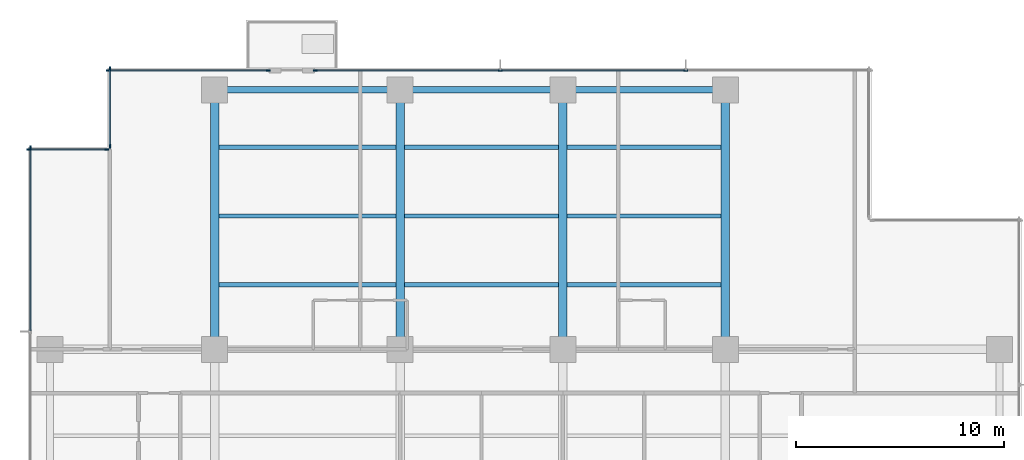
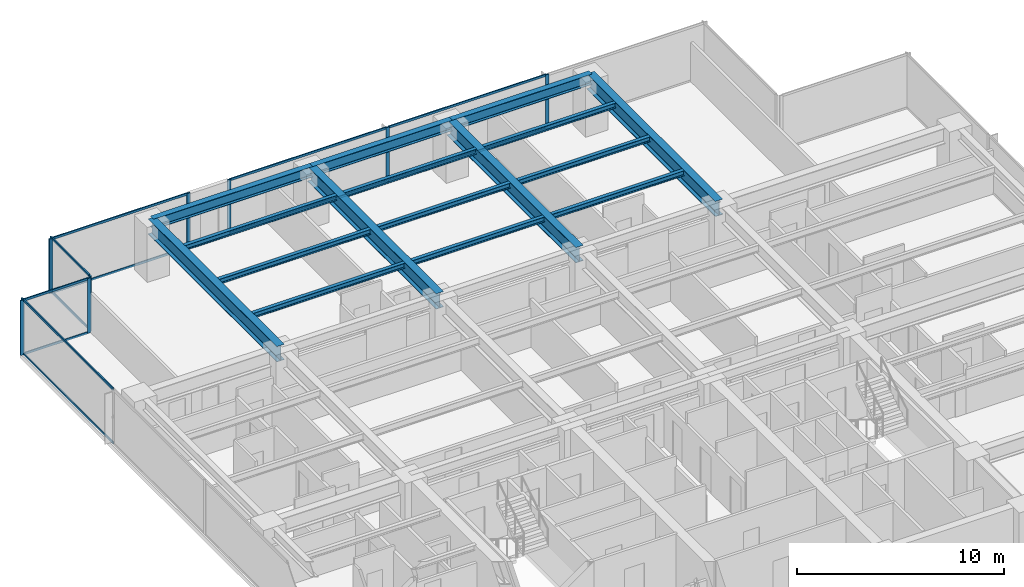
# One storey, part 5 of 17: 22 members, 16 beams, 5 elements without a shape of their own.
"""IFC4 building model written with IfcOpenShell, lengths in metres."""

from ifc_helpers import new_model, si_unit, direction, frame, origin, origin_2d, place, context, subcontext, project, spatial, rectangle, i_section, extrude, material, layer, layer_set, material_profile, profile_set, type_object, element, aggregate, save


model = new_model("IFC4")

# Units and contexts
model_context = context("Model", 3, precision=1e-05, world=origin(), true_north=direction((0.0, 1.0)))
body_context = subcontext(model_context, "Body", "Model", "MODEL_VIEW")
ifc_project = project(units=[si_unit("LENGTHUNIT", "METRE"), si_unit("AREAUNIT", "SQUARE_METRE"), si_unit("VOLUMEUNIT", "CUBIC_METRE"), si_unit("PLANEANGLEUNIT", "RADIAN"), si_unit("MASSUNIT", "GRAM", prefix="KILO")], contexts=[model_context])

# Site, building, storey
site_placement = place(None, origin())
site = spatial("IfcSite", under=ifc_project, at=site_placement, CompositionType="ELEMENT")
building_placement = place(site_placement, origin())
building = spatial("IfcBuilding", under=site, at=building_placement, Name="Qalmaran Belvedere Hotel", CompositionType="ELEMENT")
storey_placement = place(building_placement, frame((0.0, 0.0, 119.699951171875)))
storey = spatial("IfcBuildingStorey", under=building, at=storey_placement, Name="L30", CompositionType="ELEMENT", Elevation=119.699951171875)

# Beams
ifc_material_1 = material(Name="Steel S355JR", Category="steel")
ifc_material_profile_1 = material_profile(ifc_material_1, i_section(OverallWidth=0.202880859375, OverallDepth=0.302978515625, WebThickness=0.007568359375, FlangeThickness=0.01318359375, FilletRadius=0.012939453125, at=origin_2d()), Name="W310X60")
ifc_profile_set_1 = profile_set([ifc_material_profile_1], Name="Steel S355JR")
beam_type_1 = type_object("IfcBeamType", Name="BM-JST-W310X60", PredefinedType="JOIST", material=ifc_profile_set_1)
beam_1_placement = place(storey_placement, frame((20.507080078125, 36.10009765625, 3.088623046875), z_axis=(1.0, 0.0, 0.0), x_axis=(0.0, 1.0, 0.0)))
element("IfcBeam", 1, at=beam_1_placement, inside=storey, type_object=beam_type_1, Name="L30 North Floor Joist 042", PredefinedType="JOIST", context=body_context, shape_type="SweptSolid", body=[
    extrude(i_section(OverallWidth=0.202880859375, OverallDepth=0.302978515625, WebThickness=0.007568359375, FlangeThickness=0.01318359375, FilletRadius=0.012939453125, at=origin_2d()), origin(), (0.0, 0.0, 1.0), 8.48583984375),
])
for number, where, z_axis, x_axis, name in (
    (2, (29.406982421875, 36.10009765625, 3.088623046875), (1.0, 0.0, 0.0), (0.0, 1.0, 0.0), "L30 North Floor Joist 043"),
    (3, (37.20703125, 36.10009765625, 3.088623046875), (1.0, 0.0, 0.0), (0.0, 1.0, 0.0), "L30 North Floor Joist 044"),
):
    element("IfcBeam", number, at=place(storey_placement, frame(where, z_axis=z_axis, x_axis=x_axis)), inside=storey, type_object=beam_type_1, Name=name, PredefinedType="JOIST", context=body_context, shape_type="SweptSolid", body=[
        extrude(i_section(OverallWidth=0.202880859375, OverallDepth=0.302978515625, WebThickness=0.007568359375, FlangeThickness=0.01318359375, FilletRadius=0.012939453125, at=origin_2d()), origin(), (0.0, 0.0, 1.0), 7.385986328125),
    ])
beam_2_placement = place(storey_placement, frame((20.507080078125, 39.39990234375, 3.088623046875), z_axis=(1.0, 0.0, 0.0), x_axis=(0.0, 1.0, 0.0)))
element("IfcBeam", 4, at=beam_2_placement, inside=storey, type_object=beam_type_1, Name="L30 North Floor Joist 045", PredefinedType="JOIST", context=body_context, shape_type="SweptSolid", body=[
    extrude(i_section(OverallWidth=0.202880859375, OverallDepth=0.302978515625, WebThickness=0.007568359375, FlangeThickness=0.01318359375, FilletRadius=0.012939453125, at=origin_2d()), origin(), (0.0, 0.0, 1.0), 8.48583984375),
])
for number, where, z_axis, x_axis, name in (
    (5, (29.406982421875, 39.39990234375, 3.088623046875), (1.0, 0.0, 0.0), (0.0, 1.0, 0.0), "L30 North Floor Joist 046"),
    (6, (37.20703125, 39.39990234375, 3.088623046875), (1.0, 0.0, 0.0), (0.0, 1.0, 0.0), "L30 North Floor Joist 047"),
):
    element("IfcBeam", number, at=place(storey_placement, frame(where, z_axis=z_axis, x_axis=x_axis)), inside=storey, type_object=beam_type_1, Name=name, PredefinedType="JOIST", context=body_context, shape_type="SweptSolid", body=[
        extrude(i_section(OverallWidth=0.202880859375, OverallDepth=0.302978515625, WebThickness=0.007568359375, FlangeThickness=0.01318359375, FilletRadius=0.012939453125, at=origin_2d()), origin(), (0.0, 0.0, 1.0), 7.385986328125),
    ])
beam_3_placement = place(storey_placement, frame((20.507080078125, 42.699951171875, 3.088623046875), z_axis=(1.0, 0.0, 0.0), x_axis=(0.0, 1.0, 0.0)))
element("IfcBeam", 7, at=beam_3_placement, inside=storey, type_object=beam_type_1, Name="L30 North Floor Joist 048", PredefinedType="JOIST", context=body_context, shape_type="SweptSolid", body=[
    extrude(i_section(OverallWidth=0.202880859375, OverallDepth=0.302978515625, WebThickness=0.007568359375, FlangeThickness=0.01318359375, FilletRadius=0.012939453125, at=origin_2d()), origin(), (0.0, 0.0, 1.0), 8.48583984375),
])
for number, where, z_axis, x_axis, name in (
    (8, (29.406982421875, 42.699951171875, 3.088623046875), (1.0, 0.0, 0.0), (0.0, 1.0, 0.0), "L30 North Floor Joist 049"),
    (9, (37.20703125, 42.699951171875, 3.088623046875), (1.0, 0.0, 0.0), (0.0, 1.0, 0.0), "L30 North Floor Joist 050"),
):
    element("IfcBeam", number, at=place(storey_placement, frame(where, z_axis=z_axis, x_axis=x_axis)), inside=storey, type_object=beam_type_1, Name=name, PredefinedType="JOIST", context=body_context, shape_type="SweptSolid", body=[
        extrude(i_section(OverallWidth=0.202880859375, OverallDepth=0.302978515625, WebThickness=0.007568359375, FlangeThickness=0.01318359375, FilletRadius=0.012939453125, at=origin_2d()), origin(), (0.0, 0.0, 1.0), 7.385986328125),
    ])
ifc_material_profile_2 = material_profile(ifc_material_1, i_section(OverallWidth=0.41796875, OverallDepth=0.912109375, WebThickness=0.019287109375, FlangeThickness=0.031982421875, FilletRadius=0.02392578125, at=origin_2d()), Name="W920X342")
ifc_profile_set_2 = profile_set([ifc_material_profile_2], Name="Steel S355JR")
beam_type_2 = type_object("IfcBeamType", Name="BM-PG2-W920X342", PredefinedType="USERDEFINED", material=ifc_profile_set_2)
for number, where, z_axis, x_axis, name in (
    (10, (20.300048828125, 33.0, 2.783935546875), (0.0, 1.0, 0.0), (-1.0, 0.0, 0.0), "L30 North Bay Girder 15"),
    (11, (29.199951171875, 33.0, 2.783935546875), (0.0, 1.0, 0.0), (-1.0, 0.0, 0.0), "L30 North Bay Girder 17"),
    (12, (37.0, 33.0, 2.783935546875), (0.0, 1.0, 0.0), (-1.0, 0.0, 0.0), "L30 North Bay Girder 19"),
    (13, (44.800048828125, 33.0, 2.783935546875), (0.0, 1.0, 0.0), (-1.0, 0.0, 0.0), "L30 North Bay Girder 21"),
):
    element("IfcBeam", number, at=place(storey_placement, frame(where, z_axis=z_axis, x_axis=x_axis)), inside=storey, type_object=beam_type_2, Name=name, ObjectType="GIRDER", PredefinedType="USERDEFINED", context=body_context, shape_type="SweptSolid", body=[
        extrude(i_section(OverallWidth=0.41796875, OverallDepth=0.912109375, WebThickness=0.019287109375, FlangeThickness=0.031982421875, FilletRadius=0.02392578125, at=origin_2d()), origin(), (0.0, 0.0, 1.0), 12.449951171875),
    ])
ifc_material_profile_3 = material_profile(ifc_material_1, i_section(OverallWidth=0.326904296875, OverallDepth=0.6220703125, WebThickness=0.015380859375, FlangeThickness=0.0244140625, FilletRadius=0.02001953125, at=origin_2d()), Name="W610X195")
ifc_profile_set_3 = profile_set([ifc_material_profile_3], Name="Steel S355JR")
beam_type_3 = type_object("IfcBeamType", Name="BM-SP1-W610X195", PredefinedType="SPANDREL", material=ifc_profile_set_3)
beam_4_placement = place(storey_placement, frame((20.300048828125, 45.449951171875, 2.928955078125), z_axis=(1.0, 0.0, 0.0), x_axis=(0.0, 1.0, 0.0)))
element("IfcBeam", 14, at=beam_4_placement, inside=storey, type_object=beam_type_3, Name="L30 Perimeter Spandrel 05", PredefinedType="SPANDREL", context=body_context, shape_type="SweptSolid", body=[
    extrude(i_section(OverallWidth=0.326904296875, OverallDepth=0.6220703125, WebThickness=0.015380859375, FlangeThickness=0.0244140625, FilletRadius=0.02001953125, at=origin_2d()), origin(), (0.0, 0.0, 1.0), 8.89990234375),
])
for number, where, z_axis, x_axis, name in (
    (15, (29.199951171875, 45.449951171875, 2.928955078125), (1.0, 0.0, 0.0), (0.0, 1.0, 0.0), "L30 Perimeter Spandrel 06"),
    (16, (37.0, 45.449951171875, 2.928955078125), (1.0, 0.0, 0.0), (0.0, 1.0, 0.0), "L30 Perimeter Spandrel 07"),
):
    element("IfcBeam", number, at=place(storey_placement, frame(where, z_axis=z_axis, x_axis=x_axis)), inside=storey, type_object=beam_type_3, Name=name, PredefinedType="SPANDREL", context=body_context, shape_type="SweptSolid", body=[
        extrude(i_section(OverallWidth=0.326904296875, OverallDepth=0.6220703125, WebThickness=0.015380859375, FlangeThickness=0.0244140625, FilletRadius=0.02001953125, at=origin_2d()), origin(), (0.0, 0.0, 1.0), 7.800048828125),
    ])

# Curtain wall, members
ifc_material_2 = material(Name="Anodised Bronze Aluminium", Category="aluminium")
ifc_layer = layer(ifc_material_2, 0.199951171875, Name="Anodised Bronze Aluminium")
ifc_layer_set = layer_set([ifc_layer], Name="Anodised Bronze Aluminium")
curtain_wall_type = type_object("IfcCurtainWallType", Name="CW3-TOWER-LOWMID", PredefinedType="NOTDEFINED", material=ifc_layer_set)
curtain_wall_1_placement = place(storey_placement, origin())
curtain_wall_1 = element("IfcCurtainWall", 17, at=curtain_wall_1_placement, inside=storey, type_object=curtain_wall_type, Name="L30 Curtain Wall CW3", PredefinedType="NOTDEFINED")
ifc_material_profile_4 = material_profile(ifc_material_2, rectangle(XDim=0.070068359375, YDim=0.18994140625, at=origin_2d()), Name="CWM70X190")
ifc_profile_set_4 = profile_set([ifc_material_profile_4], Name="Anodised Bronze Aluminium")
member_type_1 = type_object("IfcMemberType", Name="CWM-70X190", PredefinedType="MULLION", material=ifc_profile_set_4)
member_1_placement = place(storey_placement, frame((22.864990234375, 46.3798828125, 0.0), z_axis=(0.0, 0.0, 1.0), x_axis=(0.0, -1.0, 0.0)))
member_1 = element("IfcMember", 18, at=member_1_placement, type_object=member_type_1, Name="CW3 mullion 1", PredefinedType="MULLION", context=body_context, shape_type="SweptSolid", body=[
    extrude(rectangle(XDim=0.070068359375, YDim=0.18994140625, at=origin_2d()), origin(), (0.0, 0.0, 1.0), 3.239990234375),
])
member_2_placement = place(storey_placement, frame((15.18505859375, 46.3798828125, 0.0), z_axis=(0.0, 0.0, 1.0), x_axis=(0.0, -1.0, 0.0)))
member_2 = element("IfcMember", 19, at=member_2_placement, type_object=member_type_1, Name="CW3 mullion 2", PredefinedType="MULLION", context=body_context, shape_type="SweptSolid", body=[
    extrude(rectangle(XDim=0.070068359375, YDim=0.18994140625, at=origin_2d()), origin(), (0.0, 0.0, 1.0), 3.239990234375),
])

curtain_wall_2_placement = place(storey_placement, origin())
curtain_wall_2 = element("IfcCurtainWall", 20, at=curtain_wall_2_placement, inside=storey, type_object=curtain_wall_type, Name="L30 Curtain Wall CW3", PredefinedType="NOTDEFINED")
member_3_placement = place(storey_placement, frame((42.89990234375, 46.3798828125, 0.0), z_axis=(0.0, 0.0, 1.0), x_axis=(0.0, -1.0, 0.0)))
member_3 = element("IfcMember", 21, at=member_3_placement, type_object=member_type_1, Name="CW3 mullion 2", PredefinedType="MULLION", context=body_context, shape_type="SweptSolid", body=[
    extrude(rectangle(XDim=0.070068359375, YDim=0.18994140625, at=origin_2d()), origin(), (0.0, 0.0, 1.0), 3.239990234375),
])
member_4_placement = place(storey_placement, frame((34.0, 46.3798828125, 0.0), z_axis=(0.0, 0.0, 1.0), x_axis=(0.0, -1.0, 0.0)))
member_4 = element("IfcMember", 22, at=member_4_placement, type_object=member_type_1, Name="CW3 mullion 3", PredefinedType="MULLION", context=body_context, shape_type="SweptSolid", body=[
    extrude(rectangle(XDim=0.070068359375, YDim=0.18994140625, at=origin_2d()), origin(), (0.0, 0.0, 1.0), 3.239990234375),
])
member_5_placement = place(storey_placement, frame((25.135009765625, 46.3798828125, 0.0), z_axis=(0.0, 0.0, 1.0), x_axis=(0.0, -1.0, 0.0)))
member_5 = element("IfcMember", 23, at=member_5_placement, type_object=member_type_1, Name="CW3 mullion 4", PredefinedType="MULLION", context=body_context, shape_type="SweptSolid", body=[
    extrude(rectangle(XDim=0.070068359375, YDim=0.18994140625, at=origin_2d()), origin(), (0.0, 0.0, 1.0), 3.239990234375),
])

curtain_wall_3_placement = place(storey_placement, origin())
curtain_wall_3 = element("IfcCurtainWall", 24, at=curtain_wall_3_placement, inside=storey, type_object=curtain_wall_type, Name="L30 Curtain Wall CW3", PredefinedType="NOTDEFINED")
member_6_placement = place(storey_placement, frame((15.27001953125, 46.465087890625, 0.0), z_axis=(0.0, 0.0, 1.0), x_axis=(1.0, 0.0, 0.0)))
member_6 = element("IfcMember", 25, at=member_6_placement, type_object=member_type_1, Name="CW3 mullion 1", PredefinedType="MULLION", context=body_context, shape_type="SweptSolid", body=[
    extrude(rectangle(XDim=0.070068359375, YDim=0.18994140625, at=origin_2d()), origin(), (0.0, 0.0, 1.0), 3.239990234375),
])
member_7_placement = place(storey_placement, frame((15.27001953125, 42.735107421875, 0.0), z_axis=(0.0, 0.0, 1.0), x_axis=(1.0, 0.0, 0.0)))
member_7 = element("IfcMember", 26, at=member_7_placement, type_object=member_type_1, Name="CW3 mullion 2", PredefinedType="MULLION", context=body_context, shape_type="SweptSolid", body=[
    extrude(rectangle(XDim=0.070068359375, YDim=0.18994140625, at=origin_2d()), origin(), (0.0, 0.0, 1.0), 3.239990234375),
])

curtain_wall_4_placement = place(storey_placement, origin())
curtain_wall_4 = element("IfcCurtainWall", 27, at=curtain_wall_4_placement, inside=storey, type_object=curtain_wall_type, Name="L30 Curtain Wall CW3", PredefinedType="NOTDEFINED")
member_8_placement = place(storey_placement, frame((15.114990234375, 42.580078125, 0.0), z_axis=(0.0, 0.0, 1.0), x_axis=(0.0, -1.0, 0.0)))
member_8 = element("IfcMember", 28, at=member_8_placement, type_object=member_type_1, Name="CW3 mullion 1", PredefinedType="MULLION", context=body_context, shape_type="SweptSolid", body=[
    extrude(rectangle(XDim=0.070068359375, YDim=0.18994140625, at=origin_2d()), origin(), (0.0, 0.0, 1.0), 3.239990234375),
])
member_9_placement = place(storey_placement, frame((11.385009765625, 42.580078125, 0.0), z_axis=(0.0, 0.0, 1.0), x_axis=(0.0, -1.0, 0.0)))
member_9 = element("IfcMember", 29, at=member_9_placement, type_object=member_type_1, Name="CW3 mullion 2", PredefinedType="MULLION", context=body_context, shape_type="SweptSolid", body=[
    extrude(rectangle(XDim=0.070068359375, YDim=0.18994140625, at=origin_2d()), origin(), (0.0, 0.0, 1.0), 3.239990234375),
])

# Curtain wall, member
curtain_wall_5_placement = place(storey_placement, origin())
curtain_wall_5 = element("IfcCurtainWall", 30, at=curtain_wall_5_placement, inside=storey, type_object=curtain_wall_type, Name="L30 Curtain Wall CW3", PredefinedType="NOTDEFINED")
member_10_placement = place(storey_placement, frame((11.469970703125, 42.6650390625, 0.0), z_axis=(0.0, 0.0, 1.0), x_axis=(1.0, 0.0, 0.0)))
member_10 = element("IfcMember", 31, at=member_10_placement, type_object=member_type_1, Name="CW3 mullion 1", PredefinedType="MULLION", context=body_context, shape_type="SweptSolid", body=[
    extrude(rectangle(XDim=0.070068359375, YDim=0.18994140625, at=origin_2d()), origin(), (0.0, 0.0, 1.0), 3.239990234375),
])

# Member
ifc_material_profile_5 = material_profile(ifc_material_2, rectangle(XDim=0.06494140625, YDim=0.1298828125, at=origin_2d()), Name="CWT65X130")
ifc_profile_set_5 = profile_set([ifc_material_profile_5], Name="Anodised Bronze Aluminium")
member_type_2 = type_object("IfcMemberType", Name="CWT-65X130", PredefinedType="USERDEFINED", material=ifc_profile_set_5)
member_11_placement = place(storey_placement, frame((22.830078125, 46.3798828125, 0.032470703125), z_axis=(-1.0, 0.0, 0.0), x_axis=(0.0, -1.0, 0.0)))
member_11 = element("IfcMember", 32, at=member_11_placement, type_object=member_type_2, Name="CW3 transom 1.1", ObjectType="TRANSOM", PredefinedType="USERDEFINED", context=body_context, shape_type="SweptSolid", body=[
    extrude(rectangle(XDim=0.06494140625, YDim=0.1298828125, at=origin_2d()), origin(), (0.0, 0.0, 1.0), 7.610107421875),
])

member_12_placement = place(storey_placement, frame((22.830078125, 46.3798828125, 3.20751953125), z_axis=(-1.0, 0.0, 0.0), x_axis=(0.0, -1.0, 0.0)))
member_12 = element("IfcMember", 33, at=member_12_placement, type_object=member_type_2, Name="CW3 transom 1.2", ObjectType="TRANSOM", PredefinedType="USERDEFINED", context=body_context, shape_type="SweptSolid", body=[
    extrude(rectangle(XDim=0.06494140625, YDim=0.1298828125, at=origin_2d()), origin(), (0.0, 0.0, 1.0), 7.610107421875),
])

aggregate(curtain_wall_1, [member_1, member_2, member_11, member_12])

member_13_placement = place(storey_placement, frame((42.864990234375, 46.3798828125, 0.032470703125), z_axis=(-1.0, 0.0, 0.0), x_axis=(0.0, -1.0, 0.0)))
member_13 = element("IfcMember", 34, at=member_13_placement, type_object=member_type_2, Name="CW3 transom 2.1", ObjectType="TRANSOM", PredefinedType="USERDEFINED", context=body_context, shape_type="SweptSolid", body=[
    extrude(rectangle(XDim=0.06494140625, YDim=0.1298828125, at=origin_2d()), origin(), (0.0, 0.0, 1.0), 8.830078125),
])

member_14_placement = place(storey_placement, frame((42.864990234375, 46.3798828125, 3.20751953125), z_axis=(-1.0, 0.0, 0.0), x_axis=(0.0, -1.0, 0.0)))
member_14 = element("IfcMember", 35, at=member_14_placement, type_object=member_type_2, Name="CW3 transom 2.2", ObjectType="TRANSOM", PredefinedType="USERDEFINED", context=body_context, shape_type="SweptSolid", body=[
    extrude(rectangle(XDim=0.06494140625, YDim=0.1298828125, at=origin_2d()), origin(), (0.0, 0.0, 1.0), 8.830078125),
])

member_15_placement = place(storey_placement, frame((33.965087890625, 46.3798828125, 0.032470703125), z_axis=(-1.0, 0.0, 0.0), x_axis=(0.0, -1.0, 0.0)))
member_15 = element("IfcMember", 36, at=member_15_placement, type_object=member_type_2, Name="CW3 transom 3.1", ObjectType="TRANSOM", PredefinedType="USERDEFINED", context=body_context, shape_type="SweptSolid", body=[
    extrude(rectangle(XDim=0.06494140625, YDim=0.1298828125, at=origin_2d()), origin(), (0.0, 0.0, 1.0), 8.795166015625),
])

member_16_placement = place(storey_placement, frame((33.965087890625, 46.3798828125, 3.20751953125), z_axis=(-1.0, 0.0, 0.0), x_axis=(0.0, -1.0, 0.0)))
member_16 = element("IfcMember", 37, at=member_16_placement, type_object=member_type_2, Name="CW3 transom 3.2", ObjectType="TRANSOM", PredefinedType="USERDEFINED", context=body_context, shape_type="SweptSolid", body=[
    extrude(rectangle(XDim=0.06494140625, YDim=0.1298828125, at=origin_2d()), origin(), (0.0, 0.0, 1.0), 8.795166015625),
])

aggregate(curtain_wall_2, [member_3, member_4, member_5, member_13, member_14, member_15, member_16])

member_17_placement = place(storey_placement, frame((15.27001953125, 46.429931640625, 0.032470703125), z_axis=(0.0, -1.0, 0.0), x_axis=(1.0, 0.0, 0.0)))
member_17 = element("IfcMember", 38, at=member_17_placement, type_object=member_type_2, Name="CW3 transom 1.1", ObjectType="TRANSOM", PredefinedType="USERDEFINED", context=body_context, shape_type="SweptSolid", body=[
    extrude(rectangle(XDim=0.06494140625, YDim=0.1298828125, at=origin_2d()), origin(), (0.0, 0.0, 1.0), 3.659912109375),
])

member_18_placement = place(storey_placement, frame((15.27001953125, 46.429931640625, 3.20751953125), z_axis=(0.0, -1.0, 0.0), x_axis=(1.0, 0.0, 0.0)))
member_18 = element("IfcMember", 39, at=member_18_placement, type_object=member_type_2, Name="CW3 transom 1.2", ObjectType="TRANSOM", PredefinedType="USERDEFINED", context=body_context, shape_type="SweptSolid", body=[
    extrude(rectangle(XDim=0.06494140625, YDim=0.1298828125, at=origin_2d()), origin(), (0.0, 0.0, 1.0), 3.659912109375),
])

aggregate(curtain_wall_3, [member_6, member_7, member_17, member_18])

member_19_placement = place(storey_placement, frame((15.080078125, 42.580078125, 0.032470703125), z_axis=(-1.0, 0.0, 0.0), x_axis=(0.0, -1.0, 0.0)))
member_19 = element("IfcMember", 40, at=member_19_placement, type_object=member_type_2, Name="CW3 transom 1.1", ObjectType="TRANSOM", PredefinedType="USERDEFINED", context=body_context, shape_type="SweptSolid", body=[
    extrude(rectangle(XDim=0.06494140625, YDim=0.1298828125, at=origin_2d()), origin(), (0.0, 0.0, 1.0), 3.66015625),
])

member_20_placement = place(storey_placement, frame((15.080078125, 42.580078125, 3.20751953125), z_axis=(-1.0, 0.0, 0.0), x_axis=(0.0, -1.0, 0.0)))
member_20 = element("IfcMember", 41, at=member_20_placement, type_object=member_type_2, Name="CW3 transom 1.2", ObjectType="TRANSOM", PredefinedType="USERDEFINED", context=body_context, shape_type="SweptSolid", body=[
    extrude(rectangle(XDim=0.06494140625, YDim=0.1298828125, at=origin_2d()), origin(), (0.0, 0.0, 1.0), 3.66015625),
])

aggregate(curtain_wall_4, [member_8, member_9, member_19, member_20])

member_21_placement = place(storey_placement, frame((11.469970703125, 42.6298828125, 0.032470703125), z_axis=(0.0, -1.0, 0.0), x_axis=(1.0, 0.0, 0.0)))
member_21 = element("IfcMember", 42, at=member_21_placement, type_object=member_type_2, Name="CW3 transom 1.1", ObjectType="TRANSOM", PredefinedType="USERDEFINED", context=body_context, shape_type="SweptSolid", body=[
    extrude(rectangle(XDim=0.06494140625, YDim=0.1298828125, at=origin_2d()), origin(), (0.0, 0.0, 1.0), 8.744873046875),
])

member_22_placement = place(storey_placement, frame((11.469970703125, 42.6298828125, 3.20751953125), z_axis=(0.0, -1.0, 0.0), x_axis=(1.0, 0.0, 0.0)))
member_22 = element("IfcMember", 43, at=member_22_placement, type_object=member_type_2, Name="CW3 transom 1.2", ObjectType="TRANSOM", PredefinedType="USERDEFINED", context=body_context, shape_type="SweptSolid", body=[
    extrude(rectangle(XDim=0.06494140625, YDim=0.1298828125, at=origin_2d()), origin(), (0.0, 0.0, 1.0), 8.744873046875),
])

aggregate(curtain_wall_5, [member_10, member_21, member_22])

save(model, "model.ifc")
